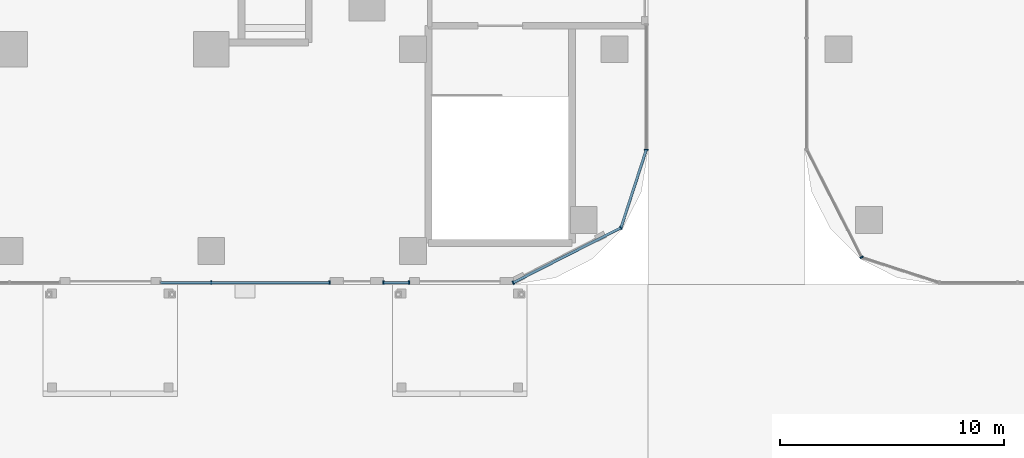
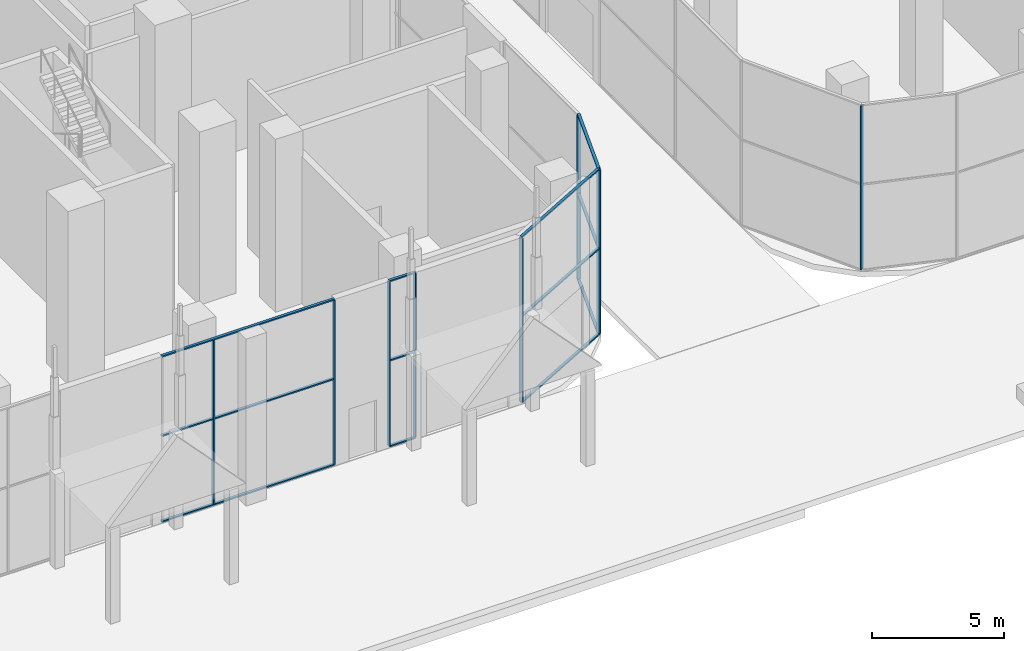
# One storey, part 9 of 54: 20 members, 5 elements without a shape of their own.
"""IFC4 building model written with IfcOpenShell, lengths in metres."""

from ifc_helpers import new_model, si_unit, direction, frame, origin, origin_2d, place, context, subcontext, project, spatial, rectangle, extrude, material, material_profile, profile_set, type_object, element, aggregate, save


model = new_model("IFC4")

# Units and contexts
model_context = context("Model", 3, precision=1e-05, world=origin(), true_north=direction((0.0, 1.0)))
body_context = subcontext(model_context, "Body", "Model", "MODEL_VIEW")
ifc_project = project(units=[si_unit("LENGTHUNIT", "METRE"), si_unit("AREAUNIT", "SQUARE_METRE"), si_unit("VOLUMEUNIT", "CUBIC_METRE"), si_unit("PLANEANGLEUNIT", "RADIAN"), si_unit("MASSUNIT", "GRAM", prefix="KILO")], contexts=[model_context])

# Site, building, storey
site_placement = place(None, origin())
site = spatial("IfcSite", under=ifc_project, at=site_placement, CompositionType="ELEMENT")
building_placement = place(site_placement, origin())
building = spatial("IfcBuilding", under=site, at=building_placement, Name="Ogive Portal Towers", CompositionType="ELEMENT")
storey_placement = place(building_placement, origin())
storey = spatial("IfcBuildingStorey", under=building, at=storey_placement, Name="L00", CompositionType="ELEMENT", Elevation=0.0)

# Curtain wall, members
ifc_material_1 = material(Name="Glass, clear low-iron insulated glazing", Category="glass")
curtain_wall_type = type_object("IfcCurtainWallType", Name="CW PODIUM SHOPFRONT", PredefinedType="NOTDEFINED", material=ifc_material_1)
curtain_wall_1_placement = place(storey_placement, origin())
curtain_wall_1 = element("IfcCurtainWall", 1, at=curtain_wall_1_placement, inside=storey, type_object=curtain_wall_type, Name="A:L00:f02:cw3", PredefinedType="NOTDEFINED")
ifc_material_2 = material(Name="Aluminium 6063 anodised", Category="aluminium")
ifc_material_profile_1 = material_profile(ifc_material_2, rectangle(XDim=0.159912109375, YDim=0.06005859375, at=origin_2d()), Name="AL 60x160")
ifc_profile_set_1 = profile_set([ifc_material_profile_1], Name="Aluminium 6063 anodised")
member_type_1 = type_object("IfcMemberType", Name="CW MULLION 60x160", PredefinedType="MULLION", material=ifc_profile_set_1)
member_1_placement = place(storey_placement, frame((85.5, 11.080078125, 0.06005859375), z_axis=(0.0, 0.0, 1.0), x_axis=(0.0, 1.0, 0.0)))
member_1 = element("IfcMember", 2, at=member_1_placement, type_object=member_type_1, Name="mullion", PredefinedType="MULLION", context=body_context, shape_type="SweptSolid", body=[
    extrude(rectangle(XDim=0.159912109375, YDim=0.06005859375, at=origin_2d()), origin(), (0.0, 0.0, 1.0), 7.579833984375),
])
member_2_placement = place(storey_placement, frame((90.784423828125, 11.080078125, 0.06005859375), z_axis=(0.0, 0.0, 1.0), x_axis=(0.0, 1.0, 0.0)))
member_2 = element("IfcMember", 3, at=member_2_placement, type_object=member_type_1, Name="mullion", PredefinedType="MULLION", context=body_context, shape_type="SweptSolid", body=[
    extrude(rectangle(XDim=0.159912109375, YDim=0.06005859375, at=origin_2d()), origin(), (0.0, 0.0, 1.0), 7.579833984375),
])

curtain_wall_2_placement = place(storey_placement, origin())
curtain_wall_2 = element("IfcCurtainWall", 4, at=curtain_wall_2_placement, inside=storey, type_object=curtain_wall_type, Name="A:L00:f02:cw4", PredefinedType="NOTDEFINED")
member_3_placement = place(storey_placement, frame((93.183349609375, 11.080078125, 0.06005859375), z_axis=(0.0, 0.0, 1.0), x_axis=(0.0, 1.0, 0.0)))
member_3 = element("IfcMember", 5, at=member_3_placement, type_object=member_type_1, Name="mullion", PredefinedType="MULLION", context=body_context, shape_type="SweptSolid", body=[
    extrude(rectangle(XDim=0.159912109375, YDim=0.06005859375, at=origin_2d()), origin(), (0.0, 0.0, 1.0), 7.579833984375),
])
member_4_placement = place(storey_placement, frame((94.332763671875, 11.080078125, 0.06005859375), z_axis=(0.0, 0.0, 1.0), x_axis=(0.0, 1.0, 0.0)))
member_4 = element("IfcMember", 6, at=member_4_placement, type_object=member_type_1, Name="mullion", PredefinedType="MULLION", context=body_context, shape_type="SweptSolid", body=[
    extrude(rectangle(XDim=0.159912109375, YDim=0.06005859375, at=origin_2d()), origin(), (0.0, 0.0, 1.0), 7.579833984375),
])

# Curtain wall, member
curtain_wall_3_placement = place(storey_placement, origin())
curtain_wall_3 = element("IfcCurtainWall", 7, at=curtain_wall_3_placement, inside=storey, type_object=curtain_wall_type, Name="A:L00:f05:cw0", PredefinedType="NOTDEFINED")
member_5_placement = place(storey_placement, frame((104.919921875, 17.0126953125, 0.06005859375), z_axis=(0.0, 0.0, 1.0), x_axis=(-1.0, 0.0, 0.0)))
member_5 = element("IfcMember", 8, at=member_5_placement, type_object=member_type_1, Name="mullion", PredefinedType="MULLION", context=body_context, shape_type="SweptSolid", body=[
    extrude(rectangle(XDim=0.159912109375, YDim=0.06005859375, at=origin_2d()), origin(), (0.0, 0.0, 1.0), 7.579833984375),
])
aggregate(curtain_wall_3, [member_5])

# Curtain wall, members
curtain_wall_4_placement = place(storey_placement, origin())
curtain_wall_4 = element("IfcCurtainWall", 9, at=curtain_wall_4_placement, inside=storey, type_object=curtain_wall_type, Name="A:L00:f03:cwa", PredefinedType="NOTDEFINED")
member_6_placement = place(storey_placement, frame((98.980712890625, 11.080078125, 0.06005859375), z_axis=(0.0, 0.0, 1.0), x_axis=(-0.45399049974, 0.891006524188, 0.0)))
member_6 = element("IfcMember", 10, at=member_6_placement, type_object=member_type_1, Name="mullion", PredefinedType="MULLION", context=body_context, shape_type="SweptSolid", body=[
    extrude(rectangle(XDim=0.159912109375, YDim=0.06005859375, at=origin_2d()), origin(), (0.0, 0.0, 1.0), 7.579833984375),
])
member_7_placement = place(storey_placement, frame((103.788330078125, 13.529541015625, 0.06005859375), z_axis=(0.0, 0.0, 1.0), x_axis=(-0.45399049974, 0.891006524188, 0.0)))
member_7 = element("IfcMember", 11, at=member_7_placement, type_object=member_type_1, Name="mullion", PredefinedType="MULLION", context=body_context, shape_type="SweptSolid", body=[
    extrude(rectangle(XDim=0.159912109375, YDim=0.06005859375, at=origin_2d()), origin(), (0.0, 0.0, 1.0), 7.579833984375),
])

# Curtain wall, member
curtain_wall_5_placement = place(storey_placement, origin())
curtain_wall_5 = element("IfcCurtainWall", 12, at=curtain_wall_5_placement, inside=storey, type_object=curtain_wall_type, Name="B:L00:f00:cwa", PredefinedType="NOTDEFINED")
member_8_placement = place(storey_placement, frame((114.529541015625, 12.211669921875, 0.06005859375), z_axis=(0.0, 0.0, 1.0), x_axis=(0.891006524188, 0.45399049974, 0.0)))
member_8 = element("IfcMember", 13, at=member_8_placement, type_object=member_type_1, Name="mullion", PredefinedType="MULLION", context=body_context, shape_type="SweptSolid", body=[
    extrude(rectangle(XDim=0.159912109375, YDim=0.06005859375, at=origin_2d()), origin(), (0.0, 0.0, 1.0), 7.579833984375),
])
aggregate(curtain_wall_5, [member_8])

# Member
ifc_material_profile_2 = material_profile(ifc_material_2, rectangle(XDim=0.1201171875, YDim=0.06005859375, at=origin_2d()), Name="AL 120x60")
ifc_profile_set_2 = profile_set([ifc_material_profile_2], Name="Aluminium 6063 anodised")
member_type_2 = type_object("IfcMemberType", Name="CW TRANSOM 60x120", PredefinedType="USERDEFINED", material=ifc_profile_set_2)
member_9_placement = place(storey_placement, frame((83.23779296875, 11.080078125, 0.030029296875), z_axis=(1.0, 0.0, 0.0), x_axis=(0.0, 1.0, 0.0)))
member_9 = element("IfcMember", 14, at=member_9_placement, type_object=member_type_2, Name="transom", ObjectType="TRANSOM", PredefinedType="USERDEFINED", context=body_context, shape_type="SweptSolid", body=[
    extrude(rectangle(XDim=0.1201171875, YDim=0.06005859375, at=origin_2d()), origin(), (0.0, 0.0, 1.0), 7.546630859375),
])

member_10_placement = place(storey_placement, frame((83.23779296875, 11.080078125, 4.0), z_axis=(1.0, 0.0, 0.0), x_axis=(0.0, 1.0, 0.0)))
member_10 = element("IfcMember", 15, at=member_10_placement, type_object=member_type_2, Name="transom", ObjectType="TRANSOM", PredefinedType="USERDEFINED", context=body_context, shape_type="SweptSolid", body=[
    extrude(rectangle(XDim=0.1201171875, YDim=0.06005859375, at=origin_2d()), origin(), (0.0, 0.0, 1.0), 7.546630859375),
])

member_11_placement = place(storey_placement, frame((83.23779296875, 11.080078125, 7.669921875), z_axis=(1.0, 0.0, 0.0), x_axis=(0.0, 1.0, 0.0)))
member_11 = element("IfcMember", 16, at=member_11_placement, type_object=member_type_2, Name="transom", ObjectType="TRANSOM", PredefinedType="USERDEFINED", context=body_context, shape_type="SweptSolid", body=[
    extrude(rectangle(XDim=0.1201171875, YDim=0.06005859375, at=origin_2d()), origin(), (0.0, 0.0, 1.0), 7.546630859375),
])

aggregate(curtain_wall_1, [member_9, member_10, member_11, member_1, member_2])

member_12_placement = place(storey_placement, frame((93.183349609375, 11.080078125, 0.030029296875), z_axis=(1.0, 0.0, 0.0), x_axis=(0.0, 1.0, 0.0)))
member_12 = element("IfcMember", 17, at=member_12_placement, type_object=member_type_2, Name="transom", ObjectType="TRANSOM", PredefinedType="USERDEFINED", context=body_context, shape_type="SweptSolid", body=[
    extrude(rectangle(XDim=0.1201171875, YDim=0.06005859375, at=origin_2d()), origin(), (0.0, 0.0, 1.0), 1.1494140625),
])

member_13_placement = place(storey_placement, frame((93.183349609375, 11.080078125, 4.0), z_axis=(1.0, 0.0, 0.0), x_axis=(0.0, 1.0, 0.0)))
member_13 = element("IfcMember", 18, at=member_13_placement, type_object=member_type_2, Name="transom", ObjectType="TRANSOM", PredefinedType="USERDEFINED", context=body_context, shape_type="SweptSolid", body=[
    extrude(rectangle(XDim=0.1201171875, YDim=0.06005859375, at=origin_2d()), origin(), (0.0, 0.0, 1.0), 1.1494140625),
])

member_14_placement = place(storey_placement, frame((93.183349609375, 11.080078125, 7.669921875), z_axis=(1.0, 0.0, 0.0), x_axis=(0.0, 1.0, 0.0)))
member_14 = element("IfcMember", 19, at=member_14_placement, type_object=member_type_2, Name="transom", ObjectType="TRANSOM", PredefinedType="USERDEFINED", context=body_context, shape_type="SweptSolid", body=[
    extrude(rectangle(XDim=0.1201171875, YDim=0.06005859375, at=origin_2d()), origin(), (0.0, 0.0, 1.0), 1.1494140625),
])

aggregate(curtain_wall_2, [member_12, member_13, member_14, member_3, member_4])

member_15_placement = place(storey_placement, frame((98.980712890625, 11.080078125, 0.030029296875), z_axis=(0.891017050983, 0.453969839149, 0.0), x_axis=(-0.453969839149, 0.891017050983, 0.0)))
member_15 = element("IfcMember", 20, at=member_15_placement, type_object=member_type_2, Name="transom", ObjectType="TRANSOM", PredefinedType="USERDEFINED", context=body_context, shape_type="SweptSolid", body=[
    extrude(rectangle(XDim=0.1201171875, YDim=0.06005859375, at=origin_2d()), origin(), (0.0, 0.0, 1.0), 5.395751953125),
])

member_16_placement = place(storey_placement, frame((98.980712890625, 11.080078125, 4.0), z_axis=(0.891017050983, 0.453969839149, 0.0), x_axis=(-0.453969839149, 0.891017050983, 0.0)))
member_16 = element("IfcMember", 21, at=member_16_placement, type_object=member_type_2, Name="transom", ObjectType="TRANSOM", PredefinedType="USERDEFINED", context=body_context, shape_type="SweptSolid", body=[
    extrude(rectangle(XDim=0.1201171875, YDim=0.06005859375, at=origin_2d()), origin(), (0.0, 0.0, 1.0), 5.395751953125),
])

member_17_placement = place(storey_placement, frame((98.980712890625, 11.080078125, 7.669921875), z_axis=(0.891017050983, 0.453969839149, 0.0), x_axis=(-0.453969839149, 0.891017050983, 0.0)))
member_17 = element("IfcMember", 22, at=member_17_placement, type_object=member_type_2, Name="transom", ObjectType="TRANSOM", PredefinedType="USERDEFINED", context=body_context, shape_type="SweptSolid", body=[
    extrude(rectangle(XDim=0.1201171875, YDim=0.06005859375, at=origin_2d()), origin(), (0.0, 0.0, 1.0), 5.395751953125),
])

member_18_placement = place(storey_placement, frame((103.788330078125, 13.529541015625, 0.030029296875), z_axis=(0.308979049184, 0.951068844598, 0.0), x_axis=(-0.951068844598, 0.308979049184, 0.0)))
member_18 = element("IfcMember", 23, at=member_18_placement, type_object=member_type_2, Name="transom", ObjectType="TRANSOM", PredefinedType="USERDEFINED", context=body_context, shape_type="SweptSolid", body=[
    extrude(rectangle(XDim=0.1201171875, YDim=0.06005859375, at=origin_2d()), origin(), (0.0, 0.0, 1.0), 3.662353515625),
])

member_19_placement = place(storey_placement, frame((103.788330078125, 13.529541015625, 4.0), z_axis=(0.308979049184, 0.951068844598, 0.0), x_axis=(-0.951068844598, 0.308979049184, 0.0)))
member_19 = element("IfcMember", 24, at=member_19_placement, type_object=member_type_2, Name="transom", ObjectType="TRANSOM", PredefinedType="USERDEFINED", context=body_context, shape_type="SweptSolid", body=[
    extrude(rectangle(XDim=0.1201171875, YDim=0.06005859375, at=origin_2d()), origin(), (0.0, 0.0, 1.0), 3.662353515625),
])

member_20_placement = place(storey_placement, frame((103.788330078125, 13.529541015625, 7.669921875), z_axis=(0.308979049184, 0.951068844598, 0.0), x_axis=(-0.951068844598, 0.308979049184, 0.0)))
member_20 = element("IfcMember", 25, at=member_20_placement, type_object=member_type_2, Name="transom", ObjectType="TRANSOM", PredefinedType="USERDEFINED", context=body_context, shape_type="SweptSolid", body=[
    extrude(rectangle(XDim=0.1201171875, YDim=0.06005859375, at=origin_2d()), origin(), (0.0, 0.0, 1.0), 3.662353515625),
])

aggregate(curtain_wall_4, [member_15, member_16, member_17, member_18, member_19, member_20, member_6, member_7])

save(model, "model.ifc")
